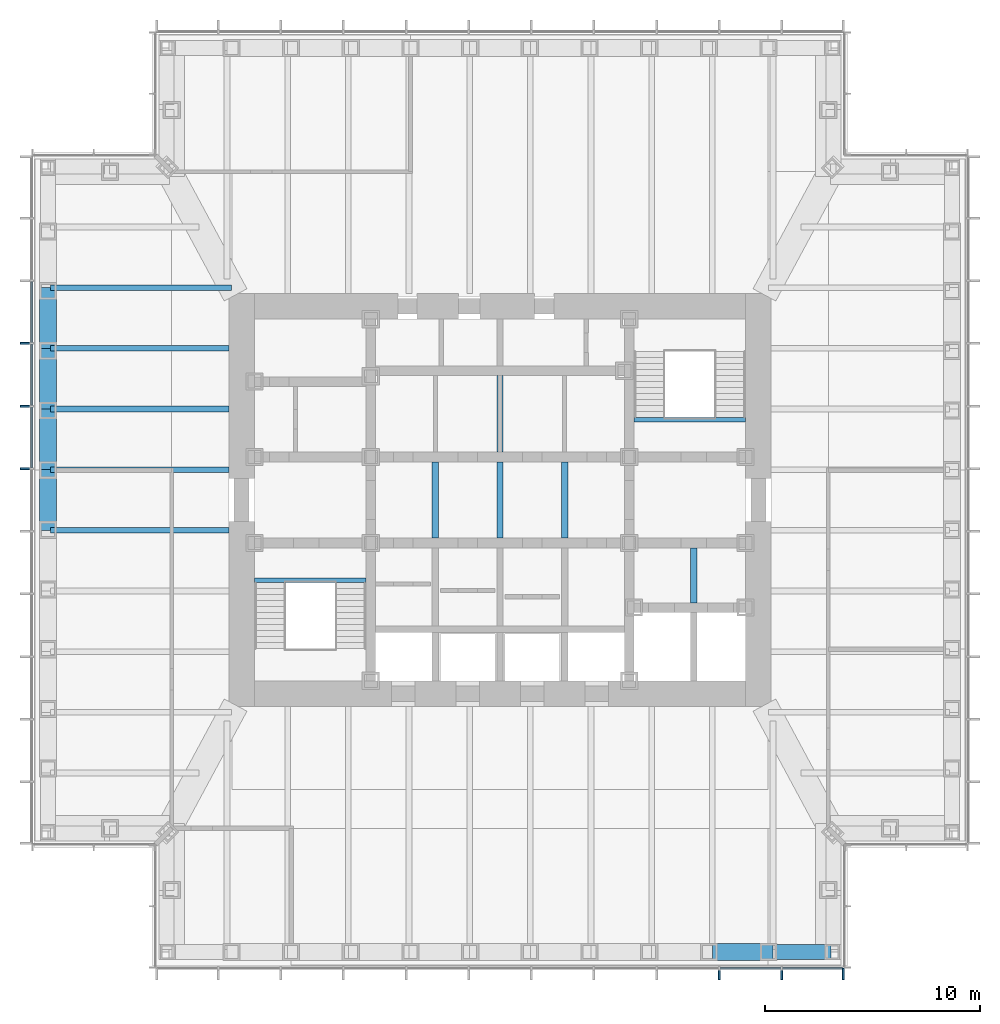
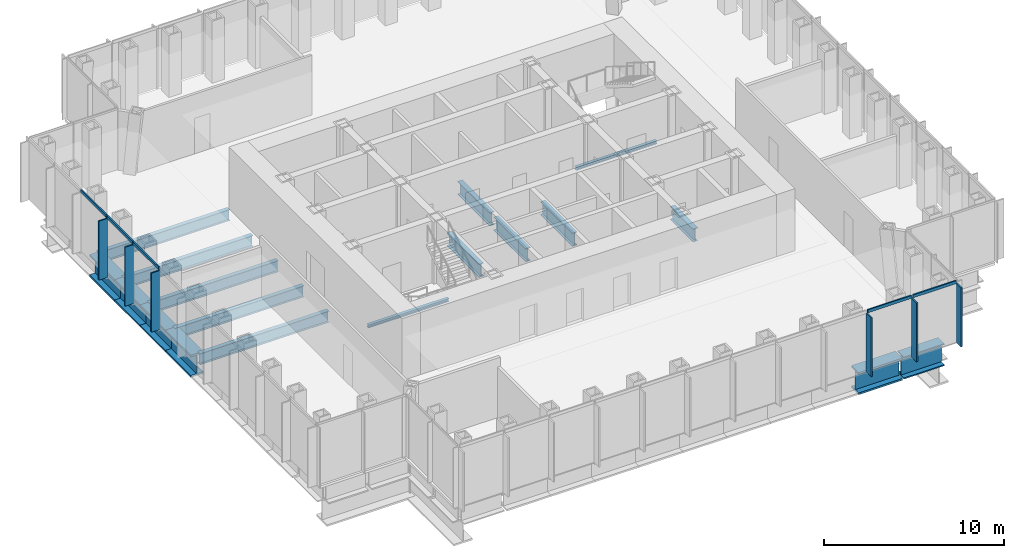
# One storey, part 3 of 14: 18 beams, 11 members, 2 elements without a shape of their own.
"""IFC4 building model written with IfcOpenShell, lengths in metres."""

from ifc_helpers import new_model, si_unit, direction, frame, origin, origin_2d, place, context, subcontext, project, spatial, rectangle, i_section, extrude, material, material_profile, profile_set, type_object, element, aggregate, save


model = new_model("IFC4")

# Units and contexts
model_context = context("Model", 3, precision=1e-05, world=origin(), true_north=direction((0.0, 1.0)))
body_context = subcontext(model_context, "Body", "Model", "MODEL_VIEW")
ifc_project = project(units=[si_unit("LENGTHUNIT", "METRE"), si_unit("AREAUNIT", "SQUARE_METRE"), si_unit("VOLUMEUNIT", "CUBIC_METRE"), si_unit("PLANEANGLEUNIT", "RADIAN"), si_unit("MASSUNIT", "GRAM", prefix="KILO")], contexts=[model_context])

# Site, building, storey
site_placement = place(None, origin())
site = spatial("IfcSite", under=ifc_project, at=site_placement, CompositionType="ELEMENT")
building_placement = place(site_placement, origin())
building = spatial("IfcBuilding", under=site, at=building_placement, Name="Daluyong Arena Tower", CompositionType="ELEMENT")
storey_placement = place(building_placement, frame((0.0, 0.0, 250.300048828125)))
storey = spatial("IfcBuildingStorey", under=building, at=storey_placement, Name="L56", CompositionType="ELEMENT", Elevation=250.300048828125)

# Curtain wall, members
ifc_material_1 = material(Name="Bronze anodised aluminium and glass", Category="aluminium")
curtain_wall_type = type_object("IfcCurtainWallType", Name="Curtain wall CW4", PredefinedType="USERDEFINED", material=ifc_material_1)
curtain_wall_1_placement = place(storey_placement, origin())
curtain_wall_1 = element("IfcCurtainWall", 1, at=curtain_wall_1_placement, inside=storey, type_object=curtain_wall_type, Name="curtain wall L56 S", ObjectType="UNITISED CURTAIN WALL", PredefinedType="USERDEFINED")
ifc_material_2 = material(Name="Bronze anodised aluminium fin", Category="aluminium")
ifc_material_profile_1 = material_profile(ifc_material_2, rectangle(XDim=0.550048828125, YDim=0.090087890625, at=origin_2d()))
ifc_profile_set_1 = profile_set([ifc_material_profile_1], Name="Bronze anodised aluminium fin")
member_type_1 = type_object("IfcMemberType", Name="CW4 bronze fin 550x90", PredefinedType="MULLION", material=ifc_profile_set_1)
member_1_placement = place(storey_placement, frame((66.181884765625, 57.97509765625, 0.0), z_axis=(0.0, 0.0, 1.0), x_axis=(0.0, 1.0, 0.0)))
member_1 = element("IfcMember", 2, at=member_1_placement, type_object=member_type_1, Name="curtain wall L56 S fin 10", PredefinedType="MULLION", context=body_context, shape_type="SweptSolid", body=[
    extrude(rectangle(XDim=0.550048828125, YDim=0.090087890625, at=origin_2d()), origin(), (0.0, 0.0, 1.0), 4.0),
])
member_2_placement = place(storey_placement, frame((69.0908203125, 57.97509765625, 0.0), z_axis=(0.0, 0.0, 1.0), x_axis=(0.0, 1.0, 0.0)))
member_2 = element("IfcMember", 3, at=member_2_placement, type_object=member_type_1, Name="curtain wall L56 S fin 11", PredefinedType="MULLION", context=body_context, shape_type="SweptSolid", body=[
    extrude(rectangle(XDim=0.550048828125, YDim=0.090087890625, at=origin_2d()), origin(), (0.0, 0.0, 1.0), 4.0),
])
member_3_placement = place(storey_placement, frame((71.955078125, 57.97509765625, 0.0), z_axis=(0.0, 0.0, 1.0), x_axis=(0.0, 1.0, 0.0)))
member_3 = element("IfcMember", 4, at=member_3_placement, type_object=member_type_1, Name="curtain wall L56 S fin 12", PredefinedType="MULLION", context=body_context, shape_type="SweptSolid", body=[
    extrude(rectangle(XDim=0.550048828125, YDim=0.090087890625, at=origin_2d()), origin(), (0.0, 0.0, 1.0), 4.0),
])

curtain_wall_2_placement = place(storey_placement, origin())
curtain_wall_2 = element("IfcCurtainWall", 5, at=curtain_wall_2_placement, inside=storey, type_object=curtain_wall_type, Name="curtain wall L56 W", ObjectType="UNITISED CURTAIN WALL", PredefinedType="USERDEFINED")
member_4_placement = place(storey_placement, frame((33.97509765625, 87.272705078125, 0.0), z_axis=(0.0, 0.0, 1.0), x_axis=(1.0, 0.0, 0.0)))
member_4 = element("IfcMember", 6, at=member_4_placement, type_object=member_type_1, Name="curtain wall L56 W fin 4", PredefinedType="MULLION", context=body_context, shape_type="SweptSolid", body=[
    extrude(rectangle(XDim=0.550048828125, YDim=0.090087890625, at=origin_2d()), origin(), (0.0, 0.0, 1.0), 4.0),
])
member_5_placement = place(storey_placement, frame((33.97509765625, 84.363525390625, 0.0), z_axis=(0.0, 0.0, 1.0), x_axis=(1.0, 0.0, 0.0)))
member_5 = element("IfcMember", 7, at=member_5_placement, type_object=member_type_1, Name="curtain wall L56 W fin 5", PredefinedType="MULLION", context=body_context, shape_type="SweptSolid", body=[
    extrude(rectangle(XDim=0.550048828125, YDim=0.090087890625, at=origin_2d()), origin(), (0.0, 0.0, 1.0), 4.0),
])
member_6_placement = place(storey_placement, frame((33.97509765625, 81.45458984375, 0.0), z_axis=(0.0, 0.0, 1.0), x_axis=(1.0, 0.0, 0.0)))
member_6 = element("IfcMember", 8, at=member_6_placement, type_object=member_type_1, Name="curtain wall L56 W fin 6", PredefinedType="MULLION", context=body_context, shape_type="SweptSolid", body=[
    extrude(rectangle(XDim=0.550048828125, YDim=0.090087890625, at=origin_2d()), origin(), (0.0, 0.0, 1.0), 4.0),
])

# Member
ifc_material_3 = material(Name="Bronze anodised aluminium", Category="aluminium")
ifc_material_profile_2 = material_profile(ifc_material_3, rectangle(XDim=0.090087890625, YDim=0.199951171875, at=origin_2d()))
ifc_profile_set_2 = profile_set([ifc_material_profile_2], Name="Bronze anodised aluminium")
member_type_2 = type_object("IfcMemberType", Name="CW4 stack transom 200x90", PredefinedType="USERDEFINED", material=ifc_profile_set_2)
member_7_placement = place(storey_placement, frame((66.226806640625, 58.25, 4.099853515625), z_axis=(1.0, 0.0, 0.0), x_axis=(0.0, 1.0, 0.0)))
member_7 = element("IfcMember", 9, at=member_7_placement, type_object=member_type_2, Name="curtain wall L56 S transom 10", ObjectType="TRANSOM", PredefinedType="USERDEFINED", context=body_context, shape_type="SweptSolid", body=[
    extrude(rectangle(XDim=0.090087890625, YDim=0.199951171875, at=origin_2d()), origin(), (0.0, 0.0, 1.0), 2.819091796875),
])

member_8_placement = place(storey_placement, frame((69.135986328125, 58.25, 4.099853515625), z_axis=(1.0, 0.0, 0.0), x_axis=(0.0, 1.0, 0.0)))
member_8 = element("IfcMember", 10, at=member_8_placement, type_object=member_type_2, Name="curtain wall L56 S transom 11", ObjectType="TRANSOM", PredefinedType="USERDEFINED", context=body_context, shape_type="SweptSolid", body=[
    extrude(rectangle(XDim=0.090087890625, YDim=0.199951171875, at=origin_2d()), origin(), (0.0, 0.0, 1.0), 2.77392578125),
])

aggregate(curtain_wall_1, [member_1, member_2, member_3, member_7, member_8])

member_9_placement = place(storey_placement, frame((34.25, 90.13671875, 4.099853515625), z_axis=(0.0, -1.0, 0.0), x_axis=(1.0, 0.0, 0.0)))
member_9 = element("IfcMember", 11, at=member_9_placement, type_object=member_type_2, Name="curtain wall L56 W transom 3", ObjectType="TRANSOM", PredefinedType="USERDEFINED", context=body_context, shape_type="SweptSolid", body=[
    extrude(rectangle(XDim=0.090087890625, YDim=0.199951171875, at=origin_2d()), origin(), (0.0, 0.0, 1.0), 2.819091796875),
])

member_10_placement = place(storey_placement, frame((34.25, 87.227783203125, 4.099853515625), z_axis=(0.0, -1.0, 0.0), x_axis=(1.0, 0.0, 0.0)))
member_10 = element("IfcMember", 12, at=member_10_placement, type_object=member_type_2, Name="curtain wall L56 W transom 4", ObjectType="TRANSOM", PredefinedType="USERDEFINED", context=body_context, shape_type="SweptSolid", body=[
    extrude(rectangle(XDim=0.090087890625, YDim=0.199951171875, at=origin_2d()), origin(), (0.0, 0.0, 1.0), 2.819091796875),
])

member_11_placement = place(storey_placement, frame((34.25, 84.318603515625, 4.099853515625), z_axis=(0.0, -1.0, 0.0), x_axis=(1.0, 0.0, 0.0)))
member_11 = element("IfcMember", 13, at=member_11_placement, type_object=member_type_2, Name="curtain wall L56 W transom 5", ObjectType="TRANSOM", PredefinedType="USERDEFINED", context=body_context, shape_type="SweptSolid", body=[
    extrude(rectangle(XDim=0.090087890625, YDim=0.199951171875, at=origin_2d()), origin(), (0.0, 0.0, 1.0), 2.819091796875),
])

aggregate(curtain_wall_2, [member_4, member_5, member_6, member_9, member_10, member_11])

# Beams
ifc_material_4 = material(Name="Steel ASTM A992 Grade 50", Category="steel")
ifc_material_profile_3 = material_profile(ifc_material_4, i_section(OverallWidth=0.2666015625, OverallDepth=0.761962890625, WebThickness=0.014404296875, FlangeThickness=0.021484375, at=origin_2d()))
ifc_profile_set_3 = profile_set([ifc_material_profile_3], Name="Steel ASTM A992 Grade 50")
beam_type_1 = type_object("IfcBeamType", Name="Floor beam W30X116", PredefinedType="BEAM", material=ifc_profile_set_3)
beam_1_placement = place(storey_placement, frame((35.114990234375, 89.863525390625, -0.541015625), z_axis=(1.0, 0.0, 0.0), x_axis=(0.0, 1.0, 0.0)))
element("IfcBeam", 14, at=beam_1_placement, inside=storey, type_object=beam_type_1, Name="floor beam FB4", PredefinedType="BEAM", context=body_context, shape_type="SweptSolid", body=[
    extrude(i_section(OverallWidth=0.2666015625, OverallDepth=0.761962890625, WebThickness=0.014404296875, FlangeThickness=0.021484375, at=origin_2d()), origin(), (0.0, 0.0, 1.0), 8.419921875),
])
for number, where, z_axis, x_axis, name in (
    (15, (35.114990234375, 87.04541015625, -0.541015625), (1.0, 0.0, 0.0), (0.0, 1.0, 0.0), "floor beam FB4"),
    (16, (35.114990234375, 84.227294921875, -0.541015625), (1.0, 0.0, 0.0), (0.0, 1.0, 0.0), "floor beam FB4"),
    (17, (35.114990234375, 81.4091796875, -0.541015625), (1.0, 0.0, 0.0), (0.0, 1.0, 0.0), "floor beam FB4"),
    (18, (35.114990234375, 78.5908203125, -0.541015625), (1.0, 0.0, 0.0), (0.0, 1.0, 0.0), "floor beam FB4"),
):
    element("IfcBeam", number, at=place(storey_placement, frame(where, z_axis=z_axis, x_axis=x_axis)), inside=storey, type_object=beam_type_1, Name=name, PredefinedType="BEAM", context=body_context, shape_type="SweptSolid", body=[
        extrude(i_section(OverallWidth=0.2666015625, OverallDepth=0.761962890625, WebThickness=0.014404296875, FlangeThickness=0.021484375, at=origin_2d()), origin(), (0.0, 0.0, 1.0), 8.284912109375),
    ])
ifc_material_5 = material(Name="Steel ASTM A572 Grade 50", Category="steel")
ifc_material_profile_4 = material_profile(ifc_material_5, i_section(OverallWidth=0.300048828125, OverallDepth=0.89990234375, WebThickness=0.025, FlangeThickness=0.04, at=origin_2d()))
ifc_profile_set_4 = profile_set([ifc_material_profile_4], Name="Steel ASTM A572 Grade 50")
beam_type_2 = type_object("IfcBeamType", Name="Lift divider beam PG900X300", PredefinedType="BEAM", material=ifc_profile_set_4)
for number, where, z_axis, x_axis, name in (
    (19, (53.0, 78.22509765625, -0.610107421875), (0.0, 1.0, 0.0), (-1.0, 0.0, 0.0), "lift divider beam DB1"),
    (20, (56.0, 78.22509765625, -0.610107421875), (0.0, 1.0, 0.0), (-1.0, 0.0, 0.0), "lift divider beam DB1"),
    (21, (56.0, 82.22509765625, -0.610107421875), (0.0, 1.0, 0.0), (-1.0, 0.0, 0.0), "lift divider beam DB1"),
    (22, (59.0, 78.22509765625, -0.610107421875), (0.0, 1.0, 0.0), (-1.0, 0.0, 0.0), "lift divider beam DB1"),
):
    element("IfcBeam", number, at=place(storey_placement, frame(where, z_axis=z_axis, x_axis=x_axis)), inside=storey, type_object=beam_type_2, Name=name, PredefinedType="BEAM", context=body_context, shape_type="SweptSolid", body=[
        extrude(i_section(OverallWidth=0.300048828125, OverallDepth=0.89990234375, WebThickness=0.025, FlangeThickness=0.04, at=origin_2d()), origin(), (0.0, 0.0, 1.0), 3.5498046875),
    ])
beam_2_placement = place(storey_placement, frame((65.0, 75.22509765625, -0.610107421875), z_axis=(0.0, 1.0, 0.0), x_axis=(-1.0, 0.0, 0.0)))
element("IfcBeam", 23, at=beam_2_placement, inside=storey, type_object=beam_type_2, Name="lift divider beam DB1", PredefinedType="BEAM", context=body_context, shape_type="SweptSolid", body=[
    extrude(i_section(OverallWidth=0.300048828125, OverallDepth=0.89990234375, WebThickness=0.025, FlangeThickness=0.04, at=origin_2d()), origin(), (0.0, 0.0, 1.0), 2.5498046875),
])
ifc_material_6 = material(Name="Steel ASTM A572 Grade 50", Category="steel")
ifc_material_profile_5 = material_profile(ifc_material_6, i_section(OverallWidth=0.699951171875, OverallDepth=1.5, WebThickness=0.04, FlangeThickness=0.08, at=origin_2d()))
ifc_profile_set_5 = profile_set([ifc_material_profile_5], Name="Steel ASTM A572 Grade 50")
beam_type_3 = type_object("IfcBeamType", Name="Spandrel Z3 PG1500X700", PredefinedType="SPANDREL", material=ifc_profile_set_5)
beam_3_placement = place(storey_placement, frame((68.796875, 59.0, -0.91015625), z_axis=(1.0, 0.0, 0.0), x_axis=(0.0, 1.0, 0.0)))
element("IfcBeam", 24, at=beam_3_placement, inside=storey, type_object=beam_type_3, Name="spandrel z3 SB8", PredefinedType="SPANDREL", context=body_context, shape_type="SweptSolid", body=[
    extrude(i_section(OverallWidth=0.699951171875, OverallDepth=1.5, WebThickness=0.04, FlangeThickness=0.08, at=origin_2d()), origin(), (0.0, 0.0, 1.0), 2.588134765625),
])
ifc_material_7 = material(Name="Steel ASTM A992 Grade 50", Category="steel")
ifc_material_profile_6 = material_profile(ifc_material_7, i_section(OverallWidth=0.203125, OverallDepth=0.203125, WebThickness=0.00732421875, FlangeThickness=0.010986328125, at=origin_2d()))
ifc_profile_set_6 = profile_set([ifc_material_profile_6], Name="Steel ASTM A992 Grade 50")
beam_type_4 = type_object("IfcBeamType", Name="Stair landing beam W8X31", PredefinedType="BEAM", material=ifc_profile_set_6)
for number, where, z_axis, x_axis, name in (
    (25, (44.60009765625, 76.276611328125, -0.26171875), (1.0, 0.0, 0.0), (0.0, 1.0, 0.0), "exit stair A landing beam"),
    (26, (62.22509765625, 83.723388671875, -0.26171875), (1.0, 0.0, 0.0), (0.0, 1.0, 0.0), "exit stair B landing beam"),
):
    element("IfcBeam", number, at=place(storey_placement, frame(where, z_axis=z_axis, x_axis=x_axis)), inside=storey, type_object=beam_type_4, Name=name, PredefinedType="BEAM", context=body_context, shape_type="SweptSolid", body=[
        extrude(i_section(OverallWidth=0.203125, OverallDepth=0.203125, WebThickness=0.00732421875, FlangeThickness=0.010986328125, at=origin_2d()), origin(), (0.0, 0.0, 1.0), 5.1748046875),
    ])
ifc_material_8 = material(Name="Steel ASTM A588 Grade 50", Category="steel")
ifc_material_profile_7 = material_profile(ifc_material_8, i_section(OverallWidth=0.800048828125, OverallDepth=1.5, WebThickness=0.05, FlangeThickness=0.12, at=origin_2d()))
ifc_profile_set_7 = profile_set([ifc_material_profile_7], Name="Steel ASTM A588 Grade 50")
beam_type_5 = type_object("IfcBeamType", Name="Transfer spandrel PG1500X800", PredefinedType="SPANDREL", material=ifc_profile_set_7)
beam_4_placement = place(storey_placement, frame((65.863525390625, 59.0, -0.91015625), z_axis=(1.0, 0.0, 0.0), x_axis=(0.0, 1.0, 0.0)))
element("IfcBeam", 27, at=beam_4_placement, inside=storey, type_object=beam_type_5, Name="transfer spandrel TS1", PredefinedType="SPANDREL", context=body_context, shape_type="SweptSolid", body=[
    extrude(i_section(OverallWidth=0.800048828125, OverallDepth=1.5, WebThickness=0.05, FlangeThickness=0.12, at=origin_2d()), origin(), (0.0, 0.0, 1.0), 2.818359375),
])
for number, where, z_axis, x_axis, name in (
    (28, (35.0, 89.863525390625, -0.91015625), (0.0, -1.0, 0.0), (1.0, 0.0, 0.0), "transfer spandrel TS1"),
    (29, (35.0, 87.04541015625, -0.91015625), (0.0, -1.0, 0.0), (1.0, 0.0, 0.0), "transfer spandrel TS1"),
    (30, (35.0, 84.227294921875, -0.91015625), (0.0, -1.0, 0.0), (1.0, 0.0, 0.0), "transfer spandrel TS1"),
):
    element("IfcBeam", number, at=place(storey_placement, frame(where, z_axis=z_axis, x_axis=x_axis)), inside=storey, type_object=beam_type_5, Name=name, PredefinedType="SPANDREL", context=body_context, shape_type="SweptSolid", body=[
        extrude(i_section(OverallWidth=0.800048828125, OverallDepth=1.5, WebThickness=0.05, FlangeThickness=0.12, at=origin_2d()), origin(), (0.0, 0.0, 1.0), 2.818115234375),
    ])
beam_5_placement = place(storey_placement, frame((35.0, 81.4091796875, -0.91015625), z_axis=(0.0, -1.0, 0.0), x_axis=(1.0, 0.0, 0.0)))
element("IfcBeam", 31, at=beam_5_placement, inside=storey, type_object=beam_type_5, Name="transfer spandrel TS1", PredefinedType="SPANDREL", context=body_context, shape_type="SweptSolid", body=[
    extrude(i_section(OverallWidth=0.800048828125, OverallDepth=1.5, WebThickness=0.05, FlangeThickness=0.12, at=origin_2d()), origin(), (0.0, 0.0, 1.0), 2.818359375),
])

save(model, "model.ifc")
